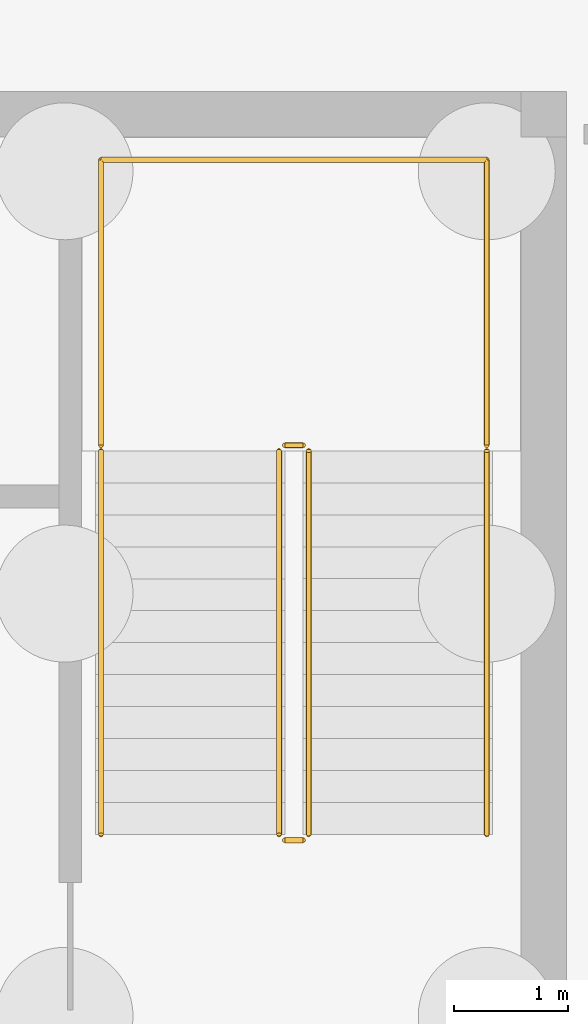
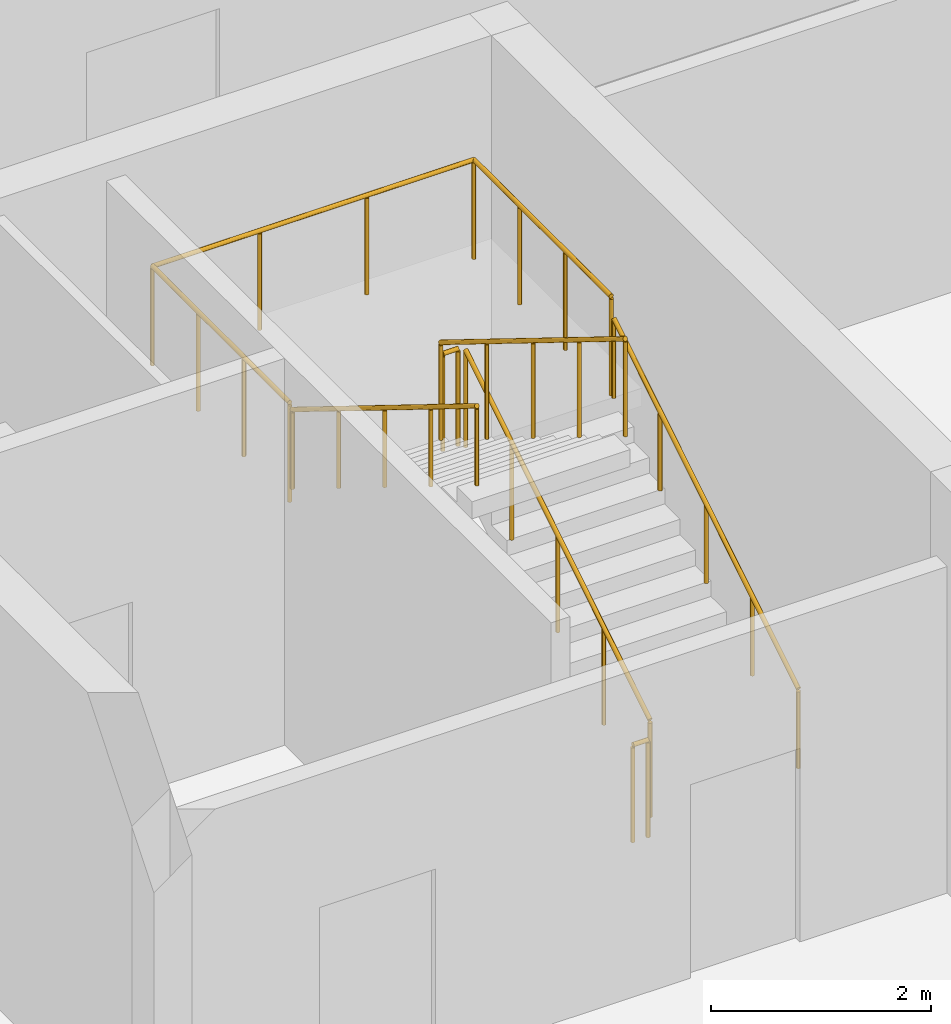
# One storey, part 16 of 17: 7 railings.
"""IFC4 building model written with IfcOpenShell, lengths in metres."""

from ifc_helpers import new_model, si_unit, direction, frame, origin, origin_2d, place, context, subcontext, project, spatial, circle, extrude, material, type_object, element, save


model = new_model("IFC4")

# Units and contexts
model_context = context("Model", 3, precision=1e-05, world=origin(), true_north=direction((0.0, 1.0)))
body_context = subcontext(model_context, "Body", "Model", "MODEL_VIEW")
ifc_project = project(units=[si_unit("LENGTHUNIT", "METRE"), si_unit("AREAUNIT", "SQUARE_METRE"), si_unit("VOLUMEUNIT", "CUBIC_METRE"), si_unit("PLANEANGLEUNIT", "RADIAN"), si_unit("MASSUNIT", "GRAM", prefix="KILO")], contexts=[model_context])

# Site, building, storey
site_placement = place(None, origin())
site = spatial("IfcSite", under=ifc_project, at=site_placement, CompositionType="ELEMENT")
building_placement = place(site_placement, origin())
building = spatial("IfcBuilding", under=site, at=building_placement, Name="Telukmera Botanical Conservatory", CompositionType="ELEMENT")
storey_placement = place(building_placement, frame((0.0, 0.0, -4.5)))
storey = spatial("IfcBuildingStorey", under=building, at=storey_placement, Name="B1", CompositionType="ELEMENT", Elevation=-4.5)

# Railings
ifc_material_1 = material(Name="Steel S355", Category="steel")
railing_type_1 = type_object("IfcRailingType", Name="RL-GUARD-1100", PredefinedType="GUARDRAIL", material=ifc_material_1)
railing_1_placement = place(storey_placement, frame((98.739990234375, 28.090087890625, 0.173095703125)))
element("IfcRailing", 1, at=railing_1_placement, inside=storey, type_object=railing_type_1, Name="B1 ST2 stair guard 1", PredefinedType="GUARDRAIL", context=body_context, shape_type="SweptSolid", body=[
    extrude(circle(Radius=0.02392578125, at=origin_2d()), frame((0.0, 0.0, 1.076171875), z_axis=(0.0, 0.850606129759, 0.525803396734), x_axis=(-1.0, 0.0, 0.0)), (0.0, 0.0, 1.0), 3.949951171875),
    extrude(circle(Radius=0.02099609375, at=origin_2d()), origin(), (0.0, 0.0, 1.0), 1.052001953125),
    extrude(circle(Radius=0.02099609375, at=origin_2d()), frame((0.0, 0.83984375, 0.519287109375)), (0.0, 0.0, 1.0), 1.052001953125),
    extrude(circle(Radius=0.02099609375, at=origin_2d()), frame((0.0, 1.679931640625, 1.03857421875)), (0.0, 0.0, 1.0), 1.052001953125),
    extrude(circle(Radius=0.02099609375, at=origin_2d()), frame((0.0, 2.52001953125, 1.5576171875)), (0.0, 0.0, 1.0), 1.052001953125),
    extrude(circle(Radius=0.02099609375, at=origin_2d()), frame((0.0, 3.35986328125, 2.076904296875)), (0.0, 0.0, 1.0), 1.052001953125),
])
railing_2_placement = place(storey_placement, frame((98.68994140625, 31.5, 2.25)))
element("IfcRailing", 2, at=railing_2_placement, inside=storey, type_object=railing_type_1, Name="B1 ST2 stair guard 2", PredefinedType="GUARDRAIL", context=body_context, shape_type="SweptSolid", body=[
    extrude(circle(Radius=0.02392578125, at=origin_2d()), frame((0.0, 0.0, 1.076171875), z_axis=(-1.0, 0.0, 0.0), x_axis=(0.0, -1.0, 0.0)), (0.0, 0.0, 1.0), 0.159912109375),
    extrude(circle(Radius=0.02099609375, at=origin_2d()), origin(), (0.0, 0.0, 1.0), 1.052001953125),
    extrude(circle(Radius=0.02099609375, at=origin_2d()), frame((-0.159912109375, 0.0, 0.0)), (0.0, 0.0, 1.0), 1.052001953125),
])
railing_3_placement = place(storey_placement, frame((98.47998046875, 31.449951171875, 2.423095703125)))
element("IfcRailing", 3, at=railing_3_placement, inside=storey, type_object=railing_type_1, Name="B1 ST2 stair guard 3", PredefinedType="GUARDRAIL", context=body_context, shape_type="SweptSolid", body=[
    extrude(circle(Radius=0.02392578125, at=origin_2d()), frame((0.0, 0.0, 1.076171875), z_axis=(0.0, -0.850606129759, 0.525803396734), x_axis=(1.0, 0.0, 0.0)), (0.0, 0.0, 1.0), 3.949951171875),
    extrude(circle(Radius=0.02099609375, at=origin_2d()), origin(), (0.0, 0.0, 1.0), 1.052001953125),
    extrude(circle(Radius=0.02099609375, at=origin_2d()), frame((0.0, -0.83984375, 0.519287109375)), (0.0, 0.0, 1.0), 1.052001953125),
    extrude(circle(Radius=0.02099609375, at=origin_2d()), frame((0.0, -1.679931640625, 1.03857421875)), (0.0, 0.0, 1.0), 1.052001953125),
    extrude(circle(Radius=0.02099609375, at=origin_2d()), frame((0.0, -2.52001953125, 1.5576171875)), (0.0, 0.0, 1.0), 1.052001953125),
    extrude(circle(Radius=0.02099609375, at=origin_2d()), frame((0.0, -3.35986328125, 2.076904296875)), (0.0, 0.0, 1.0), 1.052001953125),
])
railing_4_placement = place(storey_placement, frame((98.68994140625, 28.0400390625, 0.0)))
element("IfcRailing", 4, at=railing_4_placement, inside=storey, type_object=railing_type_1, Name="B1 ST2 stair guard 4", PredefinedType="GUARDRAIL", context=body_context, shape_type="SweptSolid", body=[
    extrude(circle(Radius=0.02392578125, at=origin_2d()), frame((0.0, 0.0, 1.076171875), z_axis=(-1.0, 0.0, 0.0), x_axis=(0.0, -1.0, 0.0)), (0.0, 0.0, 1.0), 0.159912109375),
    extrude(circle(Radius=0.02099609375, at=origin_2d()), origin(), (0.0, 0.0, 1.0), 1.052001953125),
    extrude(circle(Radius=0.02099609375, at=origin_2d()), frame((-0.159912109375, 0.0, 0.0)), (0.0, 0.0, 1.0), 1.052001953125),
])
railing_5_placement = place(storey_placement, frame((100.300048828125, 31.5, 2.25)))
element("IfcRailing", 5, at=railing_5_placement, inside=storey, type_object=railing_type_1, Name="B1 ST2 half-landing perimeter guard 1", PredefinedType="GUARDRAIL", context=body_context, shape_type="SweptSolid", body=[
    extrude(circle(Radius=0.02392578125, at=origin_2d()), frame((0.0, 0.0, 1.09619140625), z_axis=(0.0, 1.0, 0.0), x_axis=(-1.0, 0.0, 0.0)), (0.0, 0.0, 1.0), 2.5),
    extrude(circle(Radius=0.02392578125, at=origin_2d()), frame((0.0, 2.5, 1.09619140625), z_axis=(-1.0, 0.0, 0.0), x_axis=(0.0, -1.0, 0.0)), (0.0, 0.0, 1.0), 3.380126953125),
    extrude(circle(Radius=0.02392578125, at=origin_2d()), frame((-3.380126953125, 2.5, 1.09619140625), z_axis=(0.0, -1.0, 0.0), x_axis=(1.0, 0.0, 0.0)), (0.0, 0.0, 1.0), 2.5),
    extrude(circle(Radius=0.02099609375, at=origin_2d()), origin(), (0.0, 0.0, 1.0), 1.072021484375),
    extrude(circle(Radius=0.02099609375, at=origin_2d()), frame((0.0, 0.833251953125, 0.0)), (0.0, 0.0, 1.0), 1.072021484375),
    extrude(circle(Radius=0.02099609375, at=origin_2d()), frame((0.0, 1.666748046875, 0.0)), (0.0, 0.0, 1.0), 1.072021484375),
    extrude(circle(Radius=0.02099609375, at=origin_2d()), frame((0.0, 2.5, 0.0)), (0.0, 0.0, 1.0), 1.072021484375),
    extrude(circle(Radius=0.02099609375, at=origin_2d()), frame((-1.126708984375, 2.5, 0.0)), (0.0, 0.0, 1.0), 1.072021484375),
    extrude(circle(Radius=0.02099609375, at=origin_2d()), frame((-2.25341796875, 2.5, 0.0)), (0.0, 0.0, 1.0), 1.072021484375),
    extrude(circle(Radius=0.02099609375, at=origin_2d()), frame((-3.380126953125, 2.5, 0.0)), (0.0, 0.0, 1.0), 1.072021484375),
    extrude(circle(Radius=0.02099609375, at=origin_2d()), frame((-3.380126953125, 1.666748046875, 0.0)), (0.0, 0.0, 1.0), 1.072021484375),
    extrude(circle(Radius=0.02099609375, at=origin_2d()), frame((-3.380126953125, 0.833251953125, 0.0)), (0.0, 0.0, 1.0), 1.072021484375),
    extrude(circle(Radius=0.02099609375, at=origin_2d()), frame((-3.380126953125, 0.0, 0.0)), (0.0, 0.0, 1.0), 1.072021484375),
])
ifc_material_2 = material(Name="Stainless steel 316", Category="steel")
railing_type_2 = type_object("IfcRailingType", Name="RL-HAND-900", PredefinedType="HANDRAIL", material=ifc_material_2)
railing_6_placement = place(storey_placement, frame((100.300048828125, 28.090087890625, 0.173095703125)))
element("IfcRailing", 6, at=railing_6_placement, inside=storey, type_object=railing_type_2, Name="B1 ST2 stair handrail 1", PredefinedType="HANDRAIL", context=body_context, shape_type="SweptSolid", body=[
    extrude(circle(Radius=0.02392578125, at=origin_2d()), frame((0.0, 0.0, 0.8759765625), z_axis=(0.0, 0.850606129759, 0.525803396734), x_axis=(-1.0, 0.0, 0.0)), (0.0, 0.0, 1.0), 3.949951171875),
    extrude(circle(Radius=0.02099609375, at=origin_2d()), origin(), (0.0, 0.0, 1.0), 0.851806640625),
    extrude(circle(Radius=0.02099609375, at=origin_2d()), frame((0.0, 0.83984375, 0.519287109375)), (0.0, 0.0, 1.0), 0.851806640625),
    extrude(circle(Radius=0.02099609375, at=origin_2d()), frame((0.0, 1.679931640625, 1.03857421875)), (0.0, 0.0, 1.0), 0.851806640625),
    extrude(circle(Radius=0.02099609375, at=origin_2d()), frame((0.0, 2.52001953125, 1.5576171875)), (0.0, 0.0, 1.0), 0.851806640625),
    extrude(circle(Radius=0.02099609375, at=origin_2d()), frame((0.0, 3.35986328125, 2.076904296875)), (0.0, 0.0, 1.0), 0.851806640625),
])
railing_7_placement = place(storey_placement, frame((96.919921875, 31.449951171875, 2.423095703125)))
element("IfcRailing", 7, at=railing_7_placement, inside=storey, type_object=railing_type_2, Name="B1 ST2 stair handrail 2", PredefinedType="HANDRAIL", context=body_context, shape_type="SweptSolid", body=[
    extrude(circle(Radius=0.02392578125, at=origin_2d()), frame((0.0, 0.0, 0.8759765625), z_axis=(0.0, -0.850606129759, 0.525803396734), x_axis=(1.0, 0.0, 0.0)), (0.0, 0.0, 1.0), 3.949951171875),
    extrude(circle(Radius=0.02099609375, at=origin_2d()), origin(), (0.0, 0.0, 1.0), 0.851806640625),
    extrude(circle(Radius=0.02099609375, at=origin_2d()), frame((0.0, -0.83984375, 0.519287109375)), (0.0, 0.0, 1.0), 0.851806640625),
    extrude(circle(Radius=0.02099609375, at=origin_2d()), frame((0.0, -1.679931640625, 1.03857421875)), (0.0, 0.0, 1.0), 0.851806640625),
    extrude(circle(Radius=0.02099609375, at=origin_2d()), frame((0.0, -2.52001953125, 1.5576171875)), (0.0, 0.0, 1.0), 0.851806640625),
    extrude(circle(Radius=0.02099609375, at=origin_2d()), frame((0.0, -3.35986328125, 2.076904296875)), (0.0, 0.0, 1.0), 0.851806640625),
])

save(model, "model.ifc")
